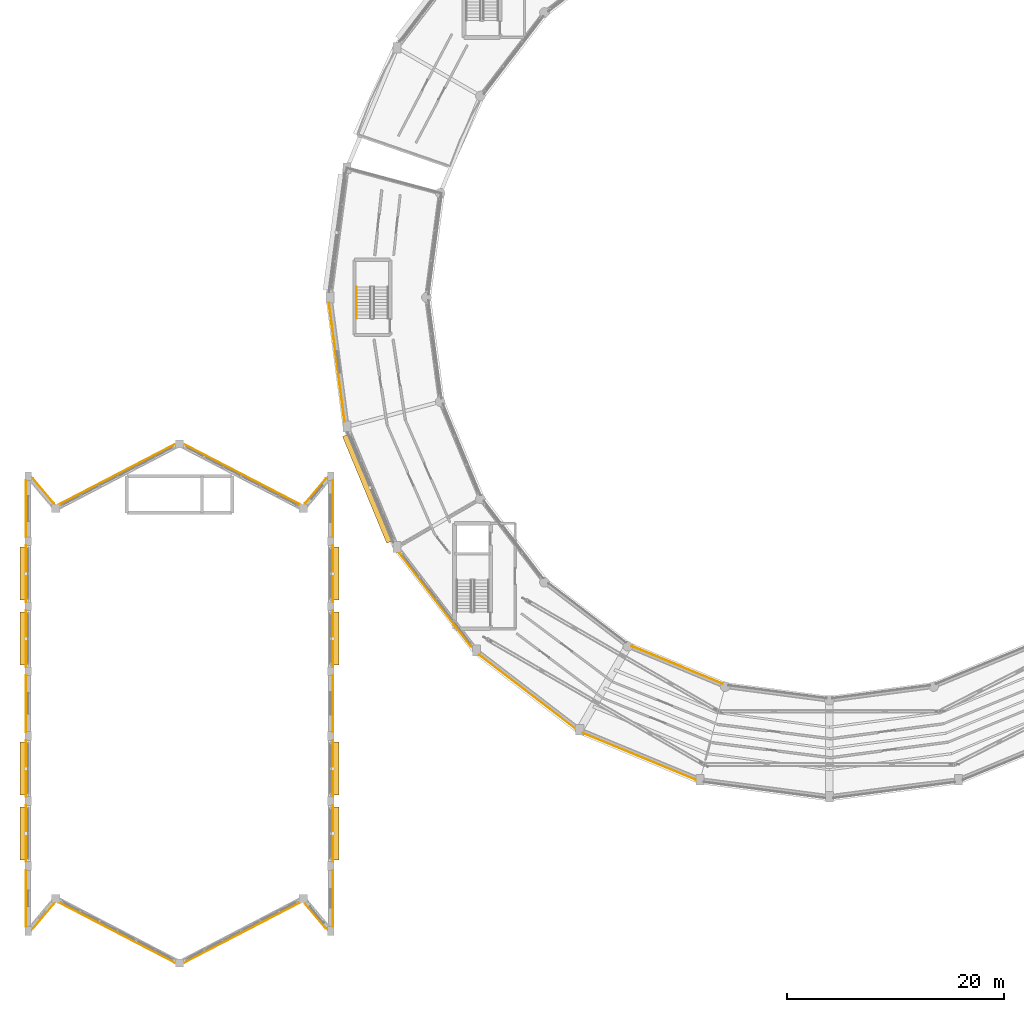
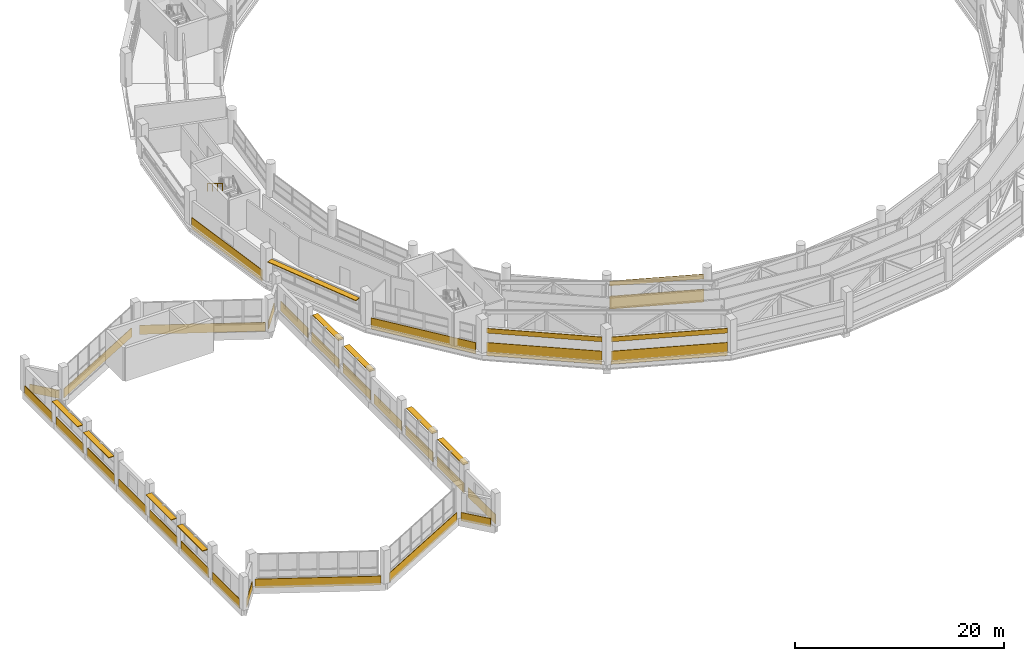
# One storey, part 113 of 121: 30 coverings, 9 shading devices, 1 railing.
"""IFC4 building model written with IfcOpenShell, lengths in metres."""

from ifc_helpers import new_model, si_unit, direction, frame, frame_2d, origin, origin_2d, place, context, subcontext, project, spatial, rectangle, circle, extrude, material, layer, layer_set, type_object, element, save


model = new_model("IFC4")

# Units and contexts
model_context = context("Model", 3, precision=1e-05, world=origin(), true_north=direction((0.0, 1.0)))
body_context = subcontext(model_context, "Body", "Model", "MODEL_VIEW")
ifc_project = project(units=[si_unit("LENGTHUNIT", "METRE"), si_unit("AREAUNIT", "SQUARE_METRE"), si_unit("VOLUMEUNIT", "CUBIC_METRE"), si_unit("PLANEANGLEUNIT", "RADIAN"), si_unit("MASSUNIT", "GRAM", prefix="KILO")], contexts=[model_context])

# Site, building, storey
site_placement = place(None, origin())
site = spatial("IfcSite", under=ifc_project, at=site_placement, CompositionType="ELEMENT")
building_placement = place(site_placement, origin())
building = spatial("IfcBuilding", under=site, at=building_placement, Name="Vespera Passage Community Centre", CompositionType="ELEMENT")
storey_placement = place(building_placement, frame((0.0, 0.0, 8.699951171875)))
storey = spatial("IfcBuildingStorey", under=building, at=storey_placement, Name="L02", CompositionType="ELEMENT", Elevation=8.699951171875)

# Coverings
ifc_material_1 = material(Name="Precast concrete f'c 40 MPa", Category="concrete")
ifc_layer = layer(ifc_material_1, 0.06005859375)
ifc_layer_set = layer_set([ifc_layer], Name="Precast concrete f'c 40 MPa")
covering_type = type_object("IfcCoveringType", Name="COV-CLAD-60E", PredefinedType="CLADDING", material=ifc_layer_set)
covering_1_placement = place(storey_placement, frame((33.23974609375, 54.021484375, -0.47998046875), z_axis=(0.0, 0.0, 1.0), x_axis=(-0.130513242145, 0.991446566197, 0.0)))
element("IfcCovering", 1, at=covering_1_placement, inside=storey, type_object=covering_type, Name="V4 L02 Outer White Sill Band O12", PredefinedType="CLADDING", context=body_context, shape_type="SweptSolid", body=[
    extrude(rectangle(XDim=11.075927734375, YDim=0.06005859375, at=frame_2d((5.5380859375, 0.0))), origin(), (0.0, 0.0, 1.0), 1.300048828125),
])
covering_2_placement = place(storey_placement, frame((44.90771484375, 33.267822265625, -0.47998046875), z_axis=(0.0, 0.0, 1.0), x_axis=(-0.608767750285, 0.793348489765, 0.0)))
element("IfcCovering", 2, at=covering_2_placement, inside=storey, type_object=covering_type, Name="V4 L02 Outer White Spandrel Band O14", PredefinedType="CLADDING", context=body_context, shape_type="SweptSolid", body=[
    extrude(rectangle(XDim=10.8525390625, YDim=0.06005859375, at=frame_2d((5.42626953125, 0.0))), origin(), (0.0, 0.0, 1.0), 1.300048828125),
])
covering_3_placement = place(storey_placement, frame((54.4912109375, 25.7138671875, -0.47998046875), z_axis=(0.0, 0.0, 1.0), x_axis=(-0.793342066679, 0.608776120785, 0.0)))
element("IfcCovering", 3, at=covering_3_placement, inside=storey, type_object=covering_type, Name="V4 L02 Outer Truss Spandrel Band O15", PredefinedType="CLADDING", context=body_context, shape_type="SweptSolid", body=[
    extrude(rectangle(XDim=11.13916015625, YDim=0.06005859375, at=frame_2d((5.569580078125, 0.0))), origin(), (0.0, 0.0, 1.0), 1.530029296875),
])
covering_4_placement = place(storey_placement, frame((54.4912109375, 25.7138671875, 2.15576171875), z_axis=(0.0, 0.0, 1.0), x_axis=(-0.793342066679, 0.608776120785, 0.0)))
element("IfcCovering", 4, at=covering_4_placement, inside=storey, type_object=covering_type, Name="V4 L02 Outer Truss Frieze Band O15", PredefinedType="CLADDING", context=body_context, shape_type="SweptSolid", body=[
    extrude(rectangle(XDim=11.13916015625, YDim=0.06005859375, at=frame_2d((5.569580078125, 0.0))), origin(), (0.0, 0.0, 1.0), 0.5498046875),
])
covering_5_placement = place(storey_placement, frame((65.6513671875, 20.95947265625, -0.47998046875), z_axis=(0.0, 0.0, 1.0), x_axis=(-0.923883530636, 0.382673779896, 0.0)))
element("IfcCovering", 5, at=covering_5_placement, inside=storey, type_object=covering_type, Name="V4 L02 Outer Truss Spandrel Band O16", PredefinedType="CLADDING", context=body_context, shape_type="SweptSolid", body=[
    extrude(rectangle(XDim=11.2724609375, YDim=0.06005859375, at=frame_2d((5.63623046875, 0.0))), origin(), (0.0, 0.0, 1.0), 1.530029296875),
])
covering_6_placement = place(storey_placement, frame((65.6513671875, 20.95947265625, 2.15576171875), z_axis=(0.0, 0.0, 1.0), x_axis=(-0.923883530636, 0.382673779896, 0.0)))
element("IfcCovering", 6, at=covering_6_placement, inside=storey, type_object=covering_type, Name="V4 L02 Outer Truss Frieze Band O16", PredefinedType="CLADDING", context=body_context, shape_type="SweptSolid", body=[
    extrude(rectangle(XDim=11.2724609375, YDim=0.06005859375, at=frame_2d((5.63623046875, 0.0))), origin(), (0.0, 0.0, 1.0), 0.5498046875),
])
covering_7_placement = place(storey_placement, frame((59.736083984375, 33.3125, -0.47998046875), z_axis=(0.0, 0.0, 1.0), x_axis=(0.92387477551, -0.38269491658, 0.0)))
element("IfcCovering", 7, at=covering_7_placement, inside=storey, type_object=covering_type, Name="V4 L02 Court Truss Spandrel Band I16", PredefinedType="CLADDING", context=body_context, shape_type="SweptSolid", body=[
    extrude(rectangle(XDim=9.11181640625, YDim=0.06005859375, at=frame_2d((4.555908203125, 0.0))), origin(), (0.0, 0.0, 1.0), 1.530029296875),
])
covering_8_placement = place(storey_placement, frame((59.736083984375, 33.3125, 2.239501953125), z_axis=(0.0, 0.0, 1.0), x_axis=(0.92387477551, -0.38269491658, 0.0)))
element("IfcCovering", 8, at=covering_8_placement, inside=storey, type_object=covering_type, Name="V4 L02 Court Truss Frieze Band I16", PredefinedType="CLADDING", context=body_context, shape_type="SweptSolid", body=[
    extrude(rectangle(XDim=9.11181640625, YDim=0.06005859375, at=frame_2d((4.555908203125, 0.0))), origin(), (0.0, 0.0, 1.0), 0.550048828125),
])
for number, where, z_axis, x_axis, name in (
    (9, (3.840087890625, 7.375, -0.280029296875), (0.0, 0.0, 1.0), (0.0, 1.0, 0.0), "V1 L02 W1 White Sill Band"),
    (10, (32.159912109375, 12.625, -0.280029296875), (0.0, 0.0, 1.0), (0.0, -1.0, 0.0), "V1 L02 E1 White Sill Band"),
    (11, (3.840087890625, 13.375, -0.280029296875), (0.0, 0.0, 1.0), (0.0, 1.0, 0.0), "V1 L02 W2 White Spandrel Band"),
    (12, (32.159912109375, 18.625, -0.280029296875), (0.0, 0.0, 1.0), (0.0, -1.0, 0.0), "V1 L02 E2 White Spandrel Band"),
    (13, (3.840087890625, 19.375, -0.280029296875), (0.0, 0.0, 1.0), (0.0, 1.0, 0.0), "V1 L02 W3 White Spandrel Band"),
    (14, (32.159912109375, 24.625, -0.280029296875), (0.0, 0.0, 1.0), (0.0, -1.0, 0.0), "V1 L02 E3 White Spandrel Band"),
    (15, (3.840087890625, 25.375, -0.280029296875), (0.0, 0.0, 1.0), (0.0, 1.0, 0.0), "V1 L02 W4 White Sill Band"),
    (16, (32.159912109375, 30.625, -0.280029296875), (0.0, 0.0, 1.0), (0.0, -1.0, 0.0), "V1 L02 E4 White Sill Band"),
    (17, (3.840087890625, 31.375, -0.280029296875), (0.0, 0.0, 1.0), (0.0, 1.0, 0.0), "V1 L02 W5 White Spandrel Band"),
    (18, (32.159912109375, 36.625, -0.280029296875), (0.0, 0.0, 1.0), (0.0, -1.0, 0.0), "V1 L02 E5 White Spandrel Band"),
    (19, (3.840087890625, 37.375, -0.280029296875), (0.0, 0.0, 1.0), (0.0, 1.0, 0.0), "V1 L02 W6 White Spandrel Band"),
    (20, (32.159912109375, 42.625, -0.280029296875), (0.0, 0.0, 1.0), (0.0, -1.0, 0.0), "V1 L02 E6 White Spandrel Band"),
    (21, (3.840087890625, 43.375, -0.280029296875), (0.0, 0.0, 1.0), (0.0, 1.0, 0.0), "V1 L02 W7 White Sill Band"),
    (22, (32.159912109375, 48.625, -0.280029296875), (0.0, 0.0, 1.0), (0.0, -1.0, 0.0), "V1 L02 E7 White Sill Band"),
):
    element("IfcCovering", number, at=place(storey_placement, frame(where, z_axis=z_axis, x_axis=x_axis)), inside=storey, type_object=covering_type, Name=name, PredefinedType="CLADDING", context=body_context, shape_type="SweptSolid", body=[
        extrude(rectangle(XDim=5.25, YDim=0.06005859375, at=frame_2d((2.625, 0.0))), origin(), (0.0, 0.0, 1.0), 1.130126953125),
    ])
covering_9_placement = place(storey_placement, frame((4.479248046875, 48.784912109375, -0.260009765625), z_axis=(0.0, 0.0, 1.0), x_axis=(0.643756356561, -0.765230523037, 0.0)))
element("IfcCovering", 23, at=covering_9_placement, inside=storey, type_object=covering_type, Name="V1 L02 N1 Apse Sill Band", PredefinedType="CLADDING", context=body_context, shape_type="SweptSolid", body=[
    extrude(rectangle(XDim=3.0126953125, YDim=0.06005859375, at=frame_2d((1.50634765625, 0.0))), origin(), (0.0, 0.0, 1.0), 0.97998046875),
])
for number, where, z_axis, x_axis, name in (
    (24, (6.837890625, 46.353515625, -0.260009765625), (0.0, 0.0, 1.0), (0.887012674584, 0.46174507591, 0.0), "V1 L02 N2 Apse White Band"),
    (25, (18.4404296875, 51.934814453125, -0.260009765625), (0.0, 0.0, 1.0), (0.887012674584, -0.46174507591, 0.0), "V1 L02 N3 Apse White Band"),
):
    element("IfcCovering", number, at=place(storey_placement, frame(where, z_axis=z_axis, x_axis=x_axis)), inside=storey, type_object=covering_type, Name=name, PredefinedType="CLADDING", context=body_context, shape_type="SweptSolid", body=[
        extrude(rectangle(XDim=12.08740234375, YDim=0.06005859375, at=frame_2d((6.043701171875, 0.0))), origin(), (0.0, 0.0, 1.0), 1.06005859375),
    ])
for number, where, z_axis, x_axis, name in (
    (26, (29.581298828125, 46.4794921875, -0.260009765625), (0.0, 0.0, 1.0), (0.643756356561, 0.765230523037, 0.0), "V1 L02 N4 Apse Sill Band"),
    (27, (31.520751953125, 7.215087890625, -0.260009765625), (0.0, 0.0, 1.0), (-0.643756356561, 0.765230523037, 0.0), "V1 L02 S1 Apse Sill Band"),
):
    element("IfcCovering", number, at=place(storey_placement, frame(where, z_axis=z_axis, x_axis=x_axis)), inside=storey, type_object=covering_type, Name=name, PredefinedType="CLADDING", context=body_context, shape_type="SweptSolid", body=[
        extrude(rectangle(XDim=3.0126953125, YDim=0.06005859375, at=frame_2d((1.50634765625, 0.0))), origin(), (0.0, 0.0, 1.0), 0.97998046875),
    ])
for number, where, z_axis, x_axis, name in (
    (28, (29.162109375, 9.646484375, -0.260009765625), (0.0, 0.0, 1.0), (-0.887012674584, -0.46174507591, 0.0), "V1 L02 S2 Apse White Band"),
    (29, (17.5595703125, 4.065185546875, -0.260009765625), (0.0, 0.0, 1.0), (-0.887012674584, 0.46174507591, 0.0), "V1 L02 S3 Apse White Band"),
):
    element("IfcCovering", number, at=place(storey_placement, frame(where, z_axis=z_axis, x_axis=x_axis)), inside=storey, type_object=covering_type, Name=name, PredefinedType="CLADDING", context=body_context, shape_type="SweptSolid", body=[
        extrude(rectangle(XDim=12.08740234375, YDim=0.06005859375, at=frame_2d((6.043701171875, 0.0))), origin(), (0.0, 0.0, 1.0), 1.06005859375),
    ])
covering_10_placement = place(storey_placement, frame((6.418701171875, 9.5205078125, -0.260009765625), z_axis=(0.0, 0.0, 1.0), x_axis=(-0.643756356561, -0.765230523037, 0.0)))
element("IfcCovering", 30, at=covering_10_placement, inside=storey, type_object=covering_type, Name="V1 L02 S4 Apse Sill Band", PredefinedType="CLADDING", context=body_context, shape_type="SweptSolid", body=[
    extrude(rectangle(XDim=3.0126953125, YDim=0.06005859375, at=frame_2d((1.50634765625, 0.0))), origin(), (0.0, 0.0, 1.0), 0.97998046875),
])

# Railing
ifc_material_2 = material(Name="Steel ASTM A500 Grade C", Category="steel")
railing_type = type_object("IfcRailingType", Name="RL-HAND-900I", PredefinedType="HANDRAIL", material=ifc_material_2)
railing_placement = place(storey_placement, frame((34.35009765625, 66.47509765625, 2.12744140625)))
element("IfcRailing", 31, at=railing_placement, inside=storey, type_object=railing_type, Name="L02 ST04 stair handrail 2", PredefinedType="HANDRAIL", context=body_context, shape_type="SweptSolid", body=[
    extrude(circle(Radius=0.02392578125, at=origin_2d()), frame((0.0, 0.0, 0.8759765625), z_axis=(0.0, -0.853230340181, 0.521534262148), x_axis=(1.0, 0.0, 0.0)), (0.0, 0.0, 1.0), 3.39892578125),
    extrude(circle(Radius=0.02099609375, at=origin_2d()), origin(), (0.0, 0.0, 1.0), 0.851806640625),
    extrude(circle(Radius=0.02099609375, at=origin_2d()), frame((0.0, -0.966796875, 0.5908203125)), (0.0, 0.0, 1.0), 0.851806640625),
    extrude(circle(Radius=0.02099609375, at=origin_2d()), frame((0.0, -1.933349609375, 1.181884765625)), (0.0, 0.0, 1.0), 0.851806640625),
    extrude(circle(Radius=0.02099609375, at=origin_2d()), frame((0.0, -2.900146484375, 1.772705078125)), (0.0, 0.0, 1.0), 0.851806640625),
])

# Shading devices
ifc_material_3 = material(Name="Anodized aluminium 6063-T6", Category="aluminium")
shading_device_type = type_object("IfcShadingDeviceType", Name="SHD-EYEBROW", PredefinedType="JALOUSIE", material=ifc_material_3)
shading_device_placement = place(storey_placement, frame((35.366943359375, 47.8408203125, 2.605712890625), z_axis=(0.0, 0.0, 1.0), x_axis=(-0.382683432365, 0.923879532511, 0.0)))
element("IfcShadingDevice", 32, at=shading_device_placement, inside=storey, type_object=shading_device_type, Name="V4 L02 Outer Solar Eyebrow 13", PredefinedType="JALOUSIE", context=body_context, shape_type="SweptSolid", body=[
    extrude(rectangle(XDim=10.652099609375, YDim=0.60009765625, at=origin_2d()), origin(), (0.0, 0.0, 1.0), 0.080078125),
])
for number, where, z_axis, x_axis, name in (
    (33, (3.570068359375, 16.0, 2.885009765625), (0.0, 0.0, 1.0), (0.0, 1.0, 0.0), "V1 L02 W2 Solar Eyebrow"),
    (34, (32.429931640625, 16.0, 2.885009765625), (0.0, 0.0, 1.0), (0.0, -1.0, 0.0), "V1 L02 E2 Solar Eyebrow"),
    (35, (3.570068359375, 22.0, 2.885009765625), (0.0, 0.0, 1.0), (0.0, 1.0, 0.0), "V1 L02 W3 Solar Eyebrow"),
    (36, (32.429931640625, 22.0, 2.885009765625), (0.0, 0.0, 1.0), (0.0, -1.0, 0.0), "V1 L02 E3 Solar Eyebrow"),
    (37, (3.570068359375, 34.0, 2.885009765625), (0.0, 0.0, 1.0), (0.0, 1.0, 0.0), "V1 L02 W5 Solar Eyebrow"),
    (38, (32.429931640625, 34.0, 2.885009765625), (0.0, 0.0, 1.0), (0.0, -1.0, 0.0), "V1 L02 E5 Solar Eyebrow"),
    (39, (3.570068359375, 40.0, 2.885009765625), (0.0, 0.0, 1.0), (0.0, 1.0, 0.0), "V1 L02 W6 Solar Eyebrow"),
    (40, (32.429931640625, 40.0, 2.885009765625), (0.0, 0.0, 1.0), (0.0, -1.0, 0.0), "V1 L02 E6 Solar Eyebrow"),
):
    element("IfcShadingDevice", number, at=place(storey_placement, frame(where, z_axis=z_axis, x_axis=x_axis)), inside=storey, type_object=shading_device_type, Name=name, PredefinedType="JALOUSIE", context=body_context, shape_type="SweptSolid", body=[
        extrude(rectangle(XDim=4.89990234375, YDim=0.60009765625, at=origin_2d()), origin(), (0.0, 0.0, 1.0), 0.080078125),
    ])

save(model, "model.ifc")
